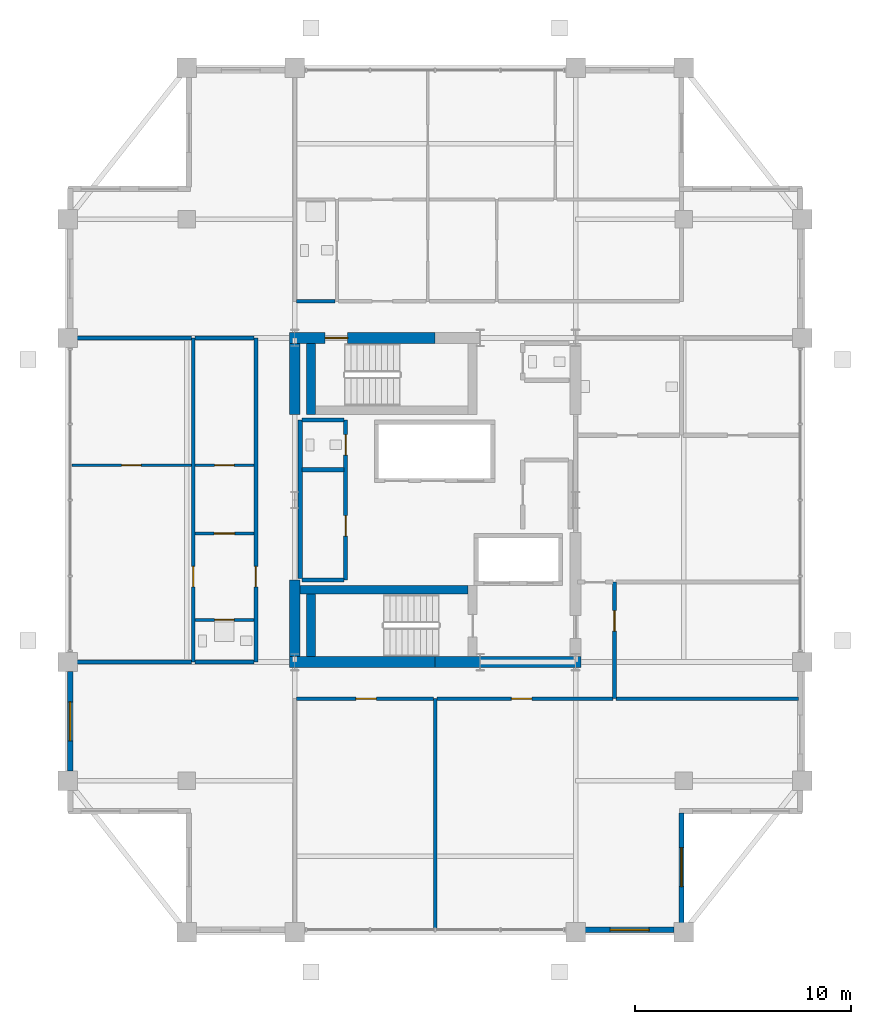
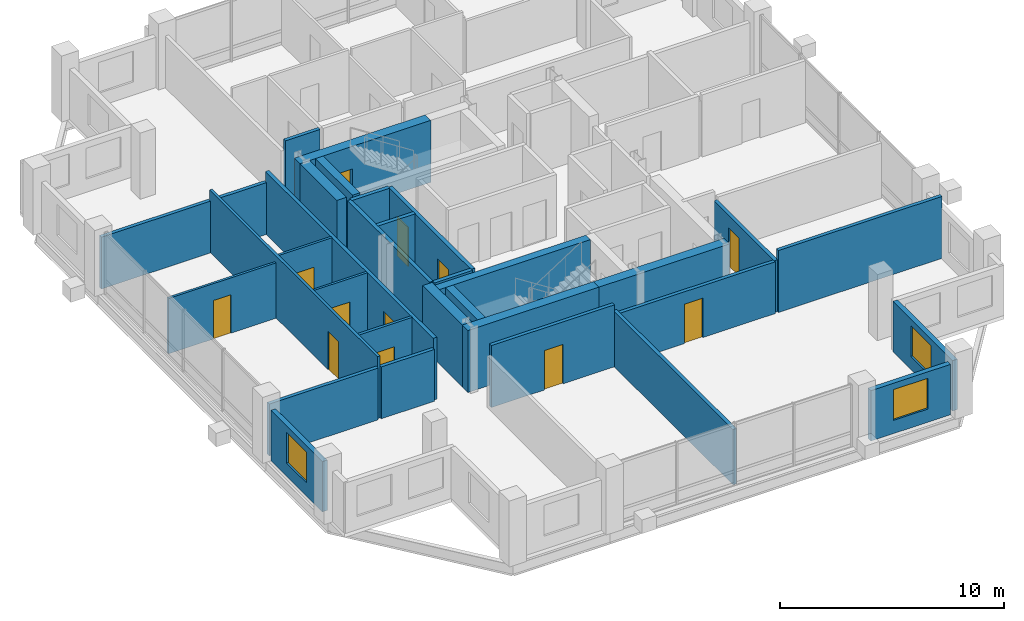
# One storey, part 16 of 21: 32 walls, 12 doors, 3 windows, 15 openings.
"""IFC4 building model written with IfcOpenShell, lengths in metres."""

from ifc_helpers import new_model, si_unit, direction, frame, frame_2d, origin, place, context, subcontext, project, spatial, rectangle, extrude, material, layer, layer_set, type_object, element, fill, save


model = new_model("IFC4")

# Units and contexts
model_context = context("Model", 3, precision=1e-05, world=origin(), true_north=direction((0.0, 1.0)))
body_context = subcontext(model_context, "Body", "Model", "MODEL_VIEW")
ifc_project = project(units=[si_unit("LENGTHUNIT", "METRE"), si_unit("AREAUNIT", "SQUARE_METRE"), si_unit("VOLUMEUNIT", "CUBIC_METRE"), si_unit("PLANEANGLEUNIT", "RADIAN"), si_unit("MASSUNIT", "GRAM", prefix="KILO")], contexts=[model_context])

# Site, building, storey
site_placement = place(None, origin())
site = spatial("IfcSite", under=ifc_project, at=site_placement, CompositionType="ELEMENT")
building_placement = place(site_placement, origin())
building = spatial("IfcBuilding", under=site, at=building_placement, Name="Barlavira Tower and Art Museum", CompositionType="ELEMENT")
storey_placement = place(building_placement, frame((0.0, 0.0, 222.300048828125)))
storey = spatial("IfcBuildingStorey", under=building, at=storey_placement, Name="L57", CompositionType="ELEMENT", Elevation=222.300048828125)

# Wall, opening, door
ifc_material_1 = material(Name="Gypsum acoustic stud partition", Category="gypsum")
ifc_layer_1 = layer(ifc_material_1, 0.1201171875, Name="Gypsum acoustic stud partition")
ifc_layer_set_1 = layer_set([ifc_layer_1], Name="Gypsum acoustic stud partition")
wall_type_1 = type_object("IfcWallType", Name="Apartment Internal Acoustic Partition 120", PredefinedType="PARTITIONING", material=ifc_layer_set_1)
wall_1_placement = place(storey_placement, frame((-11.1201171875, -1.550048828125, 0.0), z_axis=(0.0, 0.0, 1.0), x_axis=(1.0, 0.0, 0.0)))
wall_1 = element("IfcWall", 1, at=wall_1_placement, inside=storey, type_object=wall_type_1, Name="L57 Partition Wall 28", PredefinedType="PARTITIONING", context=body_context, shape_type="SweptSolid", body=[
    extrude(rectangle(XDim=2.740234375, YDim=0.1201171875, at=frame_2d((1.3701171875, 0.0))), origin(), (0.0, 0.0, 1.0), 3.3798828125),
])
opening_1_placement = place(wall_1_placement, frame((0.885009765625, 0.0, 0.0)))
opening_1 = element("IfcOpeningElement", 2, at=opening_1_placement, cuts=wall_1, Name="Opening D-02", PredefinedType="OPENING", context=body_context, shape_type="SweptSolid", body=[
    extrude(rectangle(XDim=0.949951171875, YDim=2.10009765625, at=frame_2d((0.47509765625, 1.050048828125))), frame((0.0, 0.070068359375, 0.0), z_axis=(0.0, -1.0, 0.0), x_axis=(1.0, 0.0, 0.0)), (0.0, 0.0, 1.0), 0.14013671875),
])
ifc_material_2 = material(Name="Engineered coastal hardwood", Category="wood")
door_type_1 = type_object("IfcDoorType", Name="Living and Salon Glazed-Leaf Door 950x2100", OperationType="NOTDEFINED", PredefinedType="DOOR", material=ifc_material_2)
door_1_placement = place(opening_1_placement, origin())
door_1 = element("IfcDoor", 3, at=door_1_placement, inside=storey, type_object=door_type_1, Name="Apartment SKY-W1 Kitchen Door", OperationType="SINGLE_SWING_LEFT", OverallHeight=2.10009765625, OverallWidth=0.949951171875, PredefinedType="DOOR", context=body_context, shape_type="SweptSolid", body=[
    extrude(rectangle(XDim=0.949951171875, YDim=2.10009765625, at=frame_2d((0.47509765625, 1.050048828125))), frame((0.0, 0.02490234375, 0.0), z_axis=(0.0, -1.0, 0.0), x_axis=(1.0, 0.0, 0.0)), (0.0, 0.0, 1.0), 0.050048828125),
])
fill(opening_1, door_1)

wall_2_placement = place(storey_placement, frame((-16.820068359375, 1.60009765625, 0.0), z_axis=(0.0, 0.0, 1.0), x_axis=(1.0, 0.0, 0.0)))
wall_2 = element("IfcWall", 4, at=wall_2_placement, inside=storey, type_object=wall_type_1, Name="L57 Partition Wall 30", PredefinedType="PARTITIONING", context=body_context, shape_type="SweptSolid", body=[
    extrude(rectangle(XDim=5.5400390625, YDim=0.1201171875, at=frame_2d((2.77001953125, 0.0))), origin(), (0.0, 0.0, 1.0), 3.01806640625),
])
opening_2_placement = place(wall_2_placement, frame((2.31005859375, 0.0, 0.0)))
opening_2 = element("IfcOpeningElement", 5, at=opening_2_placement, cuts=wall_2, Name="Opening D-01", PredefinedType="OPENING", context=body_context, shape_type="SweptSolid", body=[
    extrude(rectangle(XDim=0.89990234375, YDim=2.10009765625, at=frame_2d((0.449951171875, 1.050048828125))), frame((0.0, 0.070068359375, 0.0), z_axis=(0.0, -1.0, 0.0), x_axis=(1.0, 0.0, 0.0)), (0.0, 0.0, 1.0), 0.14013671875),
])
door_type_2 = type_object("IfcDoorType", Name="Internal Bedroom Timber Flush Door 900x2100", OperationType="NOTDEFINED", PredefinedType="DOOR", material=ifc_material_2)
door_2_placement = place(opening_2_placement, origin())
door_2 = element("IfcDoor", 6, at=door_2_placement, inside=storey, type_object=door_type_2, Name="Apartment SKY-W1 Bedroom 1 Door", OperationType="SINGLE_SWING_RIGHT", OverallHeight=2.10009765625, OverallWidth=0.89990234375, PredefinedType="DOOR", context=body_context, shape_type="SweptSolid", body=[
    extrude(rectangle(XDim=0.89990234375, YDim=2.10009765625, at=frame_2d((0.449951171875, 1.050048828125))), frame((0.0, 0.02490234375, 0.0), z_axis=(0.0, -1.0, 0.0), x_axis=(1.0, 0.0, 0.0)), (0.0, 0.0, 1.0), 0.050048828125),
])
fill(opening_2, door_2)

wall_3_placement = place(storey_placement, frame((-11.1201171875, 1.60009765625, 0.0), z_axis=(0.0, 0.0, 1.0), x_axis=(1.0, 0.0, 0.0)))
wall_3 = element("IfcWall", 7, at=wall_3_placement, inside=storey, type_object=wall_type_1, Name="L57 Partition Wall 31", PredefinedType="PARTITIONING", context=body_context, shape_type="SweptSolid", body=[
    extrude(rectangle(XDim=2.740234375, YDim=0.1201171875, at=frame_2d((1.3701171875, 0.0))), origin(), (0.0, 0.0, 1.0), 3.3798828125),
])
opening_3_placement = place(wall_3_placement, frame((0.909912109375, 0.0, 0.0)))
opening_3 = element("IfcOpeningElement", 8, at=opening_3_placement, cuts=wall_3, Name="Opening D-01", PredefinedType="OPENING", context=body_context, shape_type="SweptSolid", body=[
    extrude(rectangle(XDim=0.89990234375, YDim=2.10009765625, at=frame_2d((0.449951171875, 1.050048828125))), frame((0.0, 0.070068359375, 0.0), z_axis=(0.0, -1.0, 0.0), x_axis=(1.0, 0.0, 0.0)), (0.0, 0.0, 1.0), 0.14013671875),
])
door_3_placement = place(opening_3_placement, origin())
door_3 = element("IfcDoor", 9, at=door_3_placement, inside=storey, type_object=door_type_2, Name="Apartment SKY-W1 Walk-In Dressing Room Door", OperationType="SINGLE_SWING_RIGHT", OverallHeight=2.10009765625, OverallWidth=0.89990234375, PredefinedType="DOOR", context=body_context, shape_type="SweptSolid", body=[
    extrude(rectangle(XDim=0.89990234375, YDim=2.10009765625, at=frame_2d((0.449951171875, 1.050048828125))), frame((0.0, 0.02490234375, 0.0), z_axis=(0.0, -1.0, 0.0), x_axis=(1.0, 0.0, 0.0)), (0.0, 0.0, 1.0), 0.050048828125),
])
fill(opening_3, door_3)

# Walls
ifc_material_3 = material(Name="Concrete C60", Category="concrete")
ifc_layer_2 = layer(ifc_material_3, 0.5, Name="Concrete C60")
ifc_layer_set_2 = layer_set([ifc_layer_2], Name="Concrete C60")
wall_type_2 = type_object("IfcWallType", Name="Core Structural Shear Wall 500 Concrete C60", PredefinedType="SHEAR", material=ifc_layer_set_2)
for number, where, z_axis, x_axis, name in (
    (10, (-6.75, -7.5, 0.0), (0.0, 0.0, 1.0), (1.0, 0.0, 0.0), "L57 Core Shear Wall CS-SW"),
    (11, (0.0, -7.5, 0.0), (0.0, 0.0, 1.0), (1.0, 0.0, 0.0), "L57 Core Shear Wall CS-SE"),
):
    element("IfcWall", number, at=place(storey_placement, frame(where, z_axis=z_axis, x_axis=x_axis)), inside=storey, type_object=wall_type_2, Name=name, PredefinedType="SHEAR", context=body_context, shape_type="SweptSolid", body=[
        extrude(rectangle(XDim=6.75, YDim=0.5, at=frame_2d((3.375, 0.0))), origin(), (0.0, 0.0, 1.0), 3.3798828125),
    ])

# Wall, opening, door
wall_4_placement = place(storey_placement, frame((-6.75, 7.5, 0.0), z_axis=(0.0, 0.0, 1.0), x_axis=(1.0, 0.0, 0.0)))
wall_4 = element("IfcWall", 12, at=wall_4_placement, inside=storey, type_object=wall_type_2, Name="L57 Core Shear Wall CS-NW", PredefinedType="SHEAR", context=body_context, shape_type="SweptSolid", body=[
    extrude(rectangle(XDim=6.75, YDim=0.5, at=frame_2d((3.375, 0.0))), origin(), (0.0, 0.0, 1.0), 3.3798828125),
])
opening_4_placement = place(wall_4_placement, frame((1.64990234375, 0.0, 0.0)))
opening_4 = element("IfcOpeningElement", 13, at=opening_4_placement, cuts=wall_4, Name="Opening FD-90", PredefinedType="OPENING", context=body_context, shape_type="SweptSolid", body=[
    extrude(rectangle(XDim=1.050048828125, YDim=2.14990234375, at=frame_2d((0.52490234375, 1.074951171875))), frame((0.0, 0.260009765625, 0.0), z_axis=(0.0, -1.0, 0.0), x_axis=(1.0, 0.0, 0.0)), (0.0, 0.0, 1.0), 0.52001953125),
])
ifc_material_4 = material(Name="Brushed stainless steel", Category="steel")
door_type_3 = type_object("IfcDoorType", Name="Stair and Refuge Fire Door 1050x2150 FD90S", OperationType="NOTDEFINED", PredefinedType="DOOR", material=ifc_material_4)
door_4_placement = place(opening_4_placement, origin())
door_4 = element("IfcDoor", 14, at=door_4_placement, inside=storey, type_object=door_type_3, Name="L57 Stair ST-T2 Fire Door", OperationType="SINGLE_SWING_LEFT", OverallHeight=2.14990234375, OverallWidth=1.050048828125, PredefinedType="DOOR", context=body_context, shape_type="SweptSolid", body=[
    extrude(rectangle(XDim=1.050048828125, YDim=2.14990234375, at=frame_2d((0.52490234375, 1.074951171875))), frame((0.0, 0.02490234375, 0.0), z_axis=(0.0, -1.0, 0.0), x_axis=(1.0, 0.0, 0.0)), (0.0, 0.0, 1.0), 0.050048828125),
])
fill(opening_4, door_4)

# Walls
wall_5_placement = place(storey_placement, frame((-6.5, -7.25, 0.0), z_axis=(0.0, 0.0, 1.0), x_axis=(0.0, 1.0, 0.0)))
element("IfcWall", 15, at=wall_5_placement, inside=storey, type_object=wall_type_2, Name="L57 Core Shear Wall CS-W1", PredefinedType="SHEAR", context=body_context, shape_type="SweptSolid", body=[
    extrude(rectangle(XDim=3.550048828125, YDim=0.5, at=frame_2d((1.77490234375, 0.0))), origin(), (0.0, 0.0, 1.0), 3.3798828125),
])
wall_6_placement = place(storey_placement, frame((-6.5, 3.949951171875, 0.0), z_axis=(0.0, 0.0, 1.0), x_axis=(0.0, 1.0, 0.0)))
element("IfcWall", 16, at=wall_6_placement, inside=storey, type_object=wall_type_2, Name="L57 Core Shear Wall CS-W2", PredefinedType="SHEAR", context=body_context, shape_type="SweptSolid", body=[
    extrude(rectangle(XDim=3.300048828125, YDim=0.5, at=frame_2d((1.64990234375, 0.0))), origin(), (0.0, 0.0, 1.0), 3.3798828125),
])
ifc_material_5 = material(Name="Autoclaved aerated concrete masonry", Category="masonry")
ifc_layer_3 = layer(ifc_material_5, 0.199951171875, Name="Autoclaved aerated concrete masonry")
ifc_layer_set_3 = layer_set([ifc_layer_3], Name="Autoclaved aerated concrete masonry")
wall_type_3 = type_object("IfcWallType", Name="Fire Compartment and Shaft Wall 200", PredefinedType="SOLIDWALL", material=ifc_layer_set_3)
wall_7_placement = place(storey_placement, frame((-6.25, -3.639892578125, 0.0), z_axis=(0.0, 0.0, 1.0), x_axis=(0.0, 1.0, 0.0)))
element("IfcWall", 17, at=wall_7_placement, inside=storey, type_object=wall_type_3, Name="L57 Partition Wall 5", PredefinedType="SOLIDWALL", context=body_context, shape_type="SweptSolid", body=[
    extrude(rectangle(XDim=7.33984375, YDim=0.199951171875, at=frame_2d((3.669921875, 0.0))), origin(), (0.0, 0.0, 1.0), 3.3798828125),
])

# Wall, openings, doors
wall_8_placement = place(storey_placement, frame((-4.14990234375, -3.699951171875, 0.0), z_axis=(0.0, 0.0, 1.0), x_axis=(0.0, 1.0, 0.0)))
wall_8 = element("IfcWall", 18, at=wall_8_placement, inside=storey, type_object=wall_type_3, Name="L57 Partition Wall 7", PredefinedType="SOLIDWALL", context=body_context, shape_type="SweptSolid", body=[
    extrude(rectangle(XDim=7.39990234375, YDim=0.199951171875, at=frame_2d((3.699951171875, 0.0))), origin(), (0.0, 0.0, 1.0), 3.3798828125),
])
opening_5_placement = place(wall_8_placement, frame((2.02490234375, 0.0, 0.0)))
opening_5 = element("IfcOpeningElement", 19, at=opening_5_placement, cuts=wall_8, Name="Opening FD-60", PredefinedType="OPENING", context=body_context, shape_type="SweptSolid", body=[
    extrude(rectangle(XDim=0.949951171875, YDim=2.14990234375, at=frame_2d((0.47509765625, 1.074951171875))), frame((0.0, 0.10986328125, 0.0), z_axis=(0.0, -1.0, 0.0), x_axis=(1.0, 0.0, 0.0)), (0.0, 0.0, 1.0), 0.219970703125),
])
opening_6_placement = place(wall_8_placement, frame((5.77490234375, 0.0, 0.0)))
opening_6 = element("IfcOpeningElement", 20, at=opening_6_placement, cuts=wall_8, Name="Opening FD-60", PredefinedType="OPENING", context=body_context, shape_type="SweptSolid", body=[
    extrude(rectangle(XDim=0.949951171875, YDim=2.14990234375, at=frame_2d((0.47509765625, 1.074951171875))), frame((0.0, 0.10986328125, 0.0), z_axis=(0.0, -1.0, 0.0), x_axis=(1.0, 0.0, 0.0)), (0.0, 0.0, 1.0), 0.219970703125),
])
door_type_4 = type_object("IfcDoorType", Name="Apartment Entrance and Riser Fire Door 950x2150 FD60S", OperationType="NOTDEFINED", PredefinedType="DOOR", material=ifc_material_4)
door_5_placement = place(opening_5_placement, origin())
door_5 = element("IfcDoor", 21, at=door_5_placement, inside=storey, type_object=door_type_4, Name="Reclaimed Core Resident Parcel Room Door", OperationType="SINGLE_SWING_RIGHT", OverallHeight=2.14990234375, OverallWidth=0.949951171875, PredefinedType="DOOR", context=body_context, shape_type="SweptSolid", body=[
    extrude(rectangle(XDim=0.949951171875, YDim=2.14990234375, at=frame_2d((0.47509765625, 1.074951171875))), frame((0.0, 0.02490234375, 0.0), z_axis=(0.0, -1.0, 0.0), x_axis=(1.0, 0.0, 0.0)), (0.0, 0.0, 1.0), 0.050048828125),
])
fill(opening_5, door_5)
door_6_placement = place(opening_6_placement, origin())
door_6 = element("IfcDoor", 22, at=door_6_placement, inside=storey, type_object=door_type_4, Name="Reclaimed Core Accessible WC Door", OperationType="SINGLE_SWING_LEFT", OverallHeight=2.14990234375, OverallWidth=0.949951171875, PredefinedType="DOOR", context=body_context, shape_type="SweptSolid", body=[
    extrude(rectangle(XDim=0.949951171875, YDim=2.14990234375, at=frame_2d((0.47509765625, 1.074951171875))), frame((0.0, 0.02490234375, 0.0), z_axis=(0.0, -1.0, 0.0), x_axis=(1.0, 0.0, 0.0)), (0.0, 0.0, 1.0), 0.050048828125),
])
fill(opening_6, door_6)

# Walls
for number, where, z_axis, x_axis, name in (
    (23, (-6.169921875, -3.699951171875, 0.0), (0.0, 0.0, 1.0), (1.0, 0.0, 0.0), "L57 Partition Wall 27"),
    (24, (-6.169921875, 1.39990234375, 0.0), (0.0, 0.0, 1.0), (1.0, 0.0, 0.0), "L57 Partition Wall 29"),
    (25, (-6.169921875, 3.699951171875, 0.0), (0.0, 0.0, 1.0), (1.0, 0.0, 0.0), "L57 Partition Wall 35"),
):
    element("IfcWall", number, at=place(storey_placement, frame(where, z_axis=z_axis, x_axis=x_axis)), inside=storey, type_object=wall_type_3, Name=name, PredefinedType="SOLIDWALL", context=body_context, shape_type="SweptSolid", body=[
        extrude(rectangle(XDim=1.93994140625, YDim=0.199951171875, at=frame_2d((0.969970703125, 0.0))), origin(), (0.0, 0.0, 1.0), 3.3798828125),
    ])

# Wall, opening, door
ifc_layer_4 = layer(ifc_material_1, 0.179931640625, Name="Gypsum acoustic stud partition")
ifc_layer_set_4 = layer_set([ifc_layer_4], Name="Gypsum acoustic stud partition")
wall_type_4 = type_object("IfcWallType", Name="Inter-Tenancy Party Partition Wall 180", PredefinedType="PARTITIONING", material=ifc_layer_set_4)
wall_9_placement = place(storey_placement, frame((-8.300048828125, -7.5, 0.0), z_axis=(0.0, 0.0, 1.0), x_axis=(0.0, 1.0, 0.0)))
wall_9 = element("IfcWall", 26, at=wall_9_placement, inside=storey, type_object=wall_type_4, Name="L57 Partition Wall 2", PredefinedType="PARTITIONING", context=body_context, shape_type="SweptSolid", body=[
    extrude(rectangle(XDim=15.0, YDim=0.179931640625, at=frame_2d((7.5, 0.0))), origin(), (0.0, 0.0, 1.0), 3.3798828125),
])
opening_7_placement = place(wall_9_placement, frame((3.47509765625, 0.0, 0.0)))
opening_7 = element("IfcOpeningElement", 27, at=opening_7_placement, cuts=wall_9, Name="Opening FD-60", PredefinedType="OPENING", context=body_context, shape_type="SweptSolid", body=[
    extrude(rectangle(XDim=0.949951171875, YDim=2.14990234375, at=frame_2d((0.47509765625, 1.074951171875))), frame((0.0, 0.10009765625, 0.0), z_axis=(0.0, -1.0, 0.0), x_axis=(1.0, 0.0, 0.0)), (0.0, 0.0, 1.0), 0.199951171875),
])
door_7_placement = place(opening_7_placement, origin())
door_7 = element("IfcDoor", 28, at=door_7_placement, inside=storey, type_object=door_type_4, Name="Apartment Entrance Hall SKY-W1 Door", OperationType="SINGLE_SWING_RIGHT", OverallHeight=2.14990234375, OverallWidth=0.949951171875, PredefinedType="DOOR", context=body_context, shape_type="SweptSolid", body=[
    extrude(rectangle(XDim=0.949951171875, YDim=2.14990234375, at=frame_2d((0.47509765625, 1.074951171875))), frame((0.0, 0.02490234375, 0.0), z_axis=(0.0, -1.0, 0.0), x_axis=(1.0, 0.0, 0.0)), (0.0, 0.0, 1.0), 0.050048828125),
])
fill(opening_7, door_7)

# Wall
wall_10_placement = place(storey_placement, frame((0.0, -19.89990234375, 0.0), z_axis=(0.0, 0.0, 1.0), x_axis=(0.0, 1.0, 0.0)))
element("IfcWall", 29, at=wall_10_placement, inside=storey, type_object=wall_type_4, Name="L57 Partition Wall 9", PredefinedType="PARTITIONING", context=body_context, shape_type="SweptSolid", body=[
    extrude(rectangle(XDim=10.699951171875, YDim=0.179931640625, at=frame_2d((5.35009765625, 0.0))), origin(), (0.0, 0.0, 1.0), 3.01806640625),
])

# Wall, opening, door
wall_11_placement = place(storey_placement, frame((8.300048828125, -9.199951171875, 0.0), z_axis=(0.0, 0.0, 1.0), x_axis=(0.0, 1.0, 0.0)))
wall_11 = element("IfcWall", 30, at=wall_11_placement, inside=storey, type_object=wall_type_4, Name="L57 Partition Wall 16", PredefinedType="PARTITIONING", context=body_context, shape_type="SweptSolid", body=[
    extrude(rectangle(XDim=5.39990234375, YDim=0.179931640625, at=frame_2d((2.699951171875, 0.0))), origin(), (0.0, 0.0, 1.0), 2.825927734375),
])
opening_8_placement = place(wall_11_placement, frame((3.125, 0.0, 0.0)))
opening_8 = element("IfcOpeningElement", 31, at=opening_8_placement, cuts=wall_11, Name="Opening FD-60", PredefinedType="OPENING", context=body_context, shape_type="SweptSolid", body=[
    extrude(rectangle(XDim=0.949951171875, YDim=2.14990234375, at=frame_2d((0.47509765625, 1.074951171875))), frame((0.0, 0.10009765625, 0.0), z_axis=(0.0, -1.0, 0.0), x_axis=(1.0, 0.0, 0.0)), (0.0, 0.0, 1.0), 0.199951171875),
])
door_8_placement = place(opening_8_placement, origin())
door_8 = element("IfcDoor", 32, at=door_8_placement, inside=storey, type_object=door_type_4, Name="Shared Sky Cafe Preparation Kitchen Door", OperationType="SINGLE_SWING_RIGHT", OverallHeight=2.14990234375, OverallWidth=0.949951171875, PredefinedType="DOOR", context=body_context, shape_type="SweptSolid", body=[
    extrude(rectangle(XDim=0.949951171875, YDim=2.14990234375, at=frame_2d((0.47509765625, 1.074951171875))), frame((0.0, 0.02490234375, 0.0), z_axis=(0.0, -1.0, 0.0), x_axis=(1.0, 0.0, 0.0)), (0.0, 0.0, 1.0), 0.050048828125),
])
fill(opening_8, door_8)

wall_12_placement = place(storey_placement, frame((-6.419921875, -9.199951171875, 0.0), z_axis=(0.0, 0.0, 1.0), x_axis=(1.0, 0.0, 0.0)))
wall_12 = element("IfcWall", 33, at=wall_12_placement, inside=storey, type_object=wall_type_4, Name="L57 Partition Wall 19", PredefinedType="PARTITIONING", context=body_context, shape_type="SweptSolid", body=[
    extrude(rectangle(XDim=6.33984375, YDim=0.179931640625, at=frame_2d((3.169921875, 0.0))), origin(), (0.0, 0.0, 1.0), 3.3798828125),
])
opening_9_placement = place(wall_12_placement, frame((2.7451171875, 0.0, 0.0)))
opening_9 = element("IfcOpeningElement", 34, at=opening_9_placement, cuts=wall_12, Name="Opening FD-60", PredefinedType="OPENING", context=body_context, shape_type="SweptSolid", body=[
    extrude(rectangle(XDim=0.949951171875, YDim=2.14990234375, at=frame_2d((0.47509765625, 1.074951171875))), frame((0.0, 0.10009765625, 0.0), z_axis=(0.0, -1.0, 0.0), x_axis=(1.0, 0.0, 0.0)), (0.0, 0.0, 1.0), 0.199951171875),
])
door_9_placement = place(opening_9_placement, origin())
door_9 = element("IfcDoor", 35, at=door_9_placement, inside=storey, type_object=door_type_4, Name="Sky Transfer Concierge Lounge Door", OperationType="SINGLE_SWING_RIGHT", OverallHeight=2.14990234375, OverallWidth=0.949951171875, PredefinedType="DOOR", context=body_context, shape_type="SweptSolid", body=[
    extrude(rectangle(XDim=0.949951171875, YDim=2.14990234375, at=frame_2d((0.47509765625, 1.074951171875))), frame((0.0, 0.02490234375, 0.0), z_axis=(0.0, -1.0, 0.0), x_axis=(1.0, 0.0, 0.0)), (0.0, 0.0, 1.0), 0.050048828125),
])
fill(opening_9, door_9)

wall_13_placement = place(storey_placement, frame((0.080078125, -9.199951171875, 0.0), z_axis=(0.0, 0.0, 1.0), x_axis=(1.0, 0.0, 0.0)))
wall_13 = element("IfcWall", 36, at=wall_13_placement, inside=storey, type_object=wall_type_4, Name="L57 Partition Wall 20", PredefinedType="PARTITIONING", context=body_context, shape_type="SweptSolid", body=[
    extrude(rectangle(XDim=8.139892578125, YDim=0.179931640625, at=frame_2d((4.06982421875, 0.0))), origin(), (0.0, 0.0, 1.0), 2.825927734375),
])
opening_10_placement = place(wall_13_placement, frame((3.445068359375, 0.0, 0.0)))
opening_10 = element("IfcOpeningElement", 37, at=opening_10_placement, cuts=wall_13, Name="Opening FD-60", PredefinedType="OPENING", context=body_context, shape_type="SweptSolid", body=[
    extrude(rectangle(XDim=0.949951171875, YDim=2.14990234375, at=frame_2d((0.47509765625, 1.074951171875))), frame((0.0, 0.10009765625, 0.0), z_axis=(0.0, -1.0, 0.0), x_axis=(1.0, 0.0, 0.0)), (0.0, 0.0, 1.0), 0.199951171875),
])
door_10_placement = place(opening_10_placement, origin())
door_10 = element("IfcDoor", 38, at=door_10_placement, inside=storey, type_object=door_type_4, Name="Atlantic Horizon Sky Cafe and Bar Door", OperationType="SINGLE_SWING_LEFT", OverallHeight=2.14990234375, OverallWidth=0.949951171875, PredefinedType="DOOR", context=body_context, shape_type="SweptSolid", body=[
    extrude(rectangle(XDim=0.949951171875, YDim=2.14990234375, at=frame_2d((0.47509765625, 1.074951171875))), frame((0.0, 0.02490234375, 0.0), z_axis=(0.0, -1.0, 0.0), x_axis=(1.0, 0.0, 0.0)), (0.0, 0.0, 1.0), 0.050048828125),
])
fill(opening_10, door_10)

# Walls
wall_14_placement = place(storey_placement, frame((8.3798828125, -9.199951171875, 0.0), z_axis=(0.0, 0.0, 1.0), x_axis=(1.0, 0.0, 0.0)))
element("IfcWall", 39, at=wall_14_placement, inside=storey, type_object=wall_type_4, Name="L57 Partition Wall 21", PredefinedType="PARTITIONING", context=body_context, shape_type="SweptSolid", body=[
    extrude(rectangle(XDim=8.440185546875, YDim=0.179931640625, at=frame_2d((4.22021484375, 0.0))), origin(), (0.0, 0.0, 1.0), 3.3798828125),
])
wall_15_placement = place(storey_placement, frame((-16.89990234375, -7.5, 0.0), z_axis=(0.0, 0.0, 1.0), x_axis=(1.0, 0.0, 0.0)))
element("IfcWall", 40, at=wall_15_placement, inside=storey, type_object=wall_type_4, Name="L57 Partition Wall 22", PredefinedType="PARTITIONING", context=body_context, shape_type="SweptSolid", body=[
    extrude(rectangle(XDim=5.619873046875, YDim=0.179931640625, at=frame_2d((2.81005859375, 0.0))), origin(), (0.0, 0.0, 1.0), 2.825927734375),
])
wall_16_placement = place(storey_placement, frame((-11.1201171875, -7.5, 0.0), z_axis=(0.0, 0.0, 1.0), x_axis=(1.0, 0.0, 0.0)))
element("IfcWall", 41, at=wall_16_placement, inside=storey, type_object=wall_type_4, Name="L57 Partition Wall 23", PredefinedType="PARTITIONING", context=body_context, shape_type="SweptSolid", body=[
    extrude(rectangle(XDim=2.740234375, YDim=0.179931640625, at=frame_2d((1.3701171875, 0.0))), origin(), (0.0, 0.0, 1.0), 2.825927734375),
])
wall_17_placement = place(storey_placement, frame((-16.89990234375, 7.5, 0.0), z_axis=(0.0, 0.0, 1.0), x_axis=(1.0, 0.0, 0.0)))
element("IfcWall", 42, at=wall_17_placement, inside=storey, type_object=wall_type_4, Name="L57 Partition Wall 38", PredefinedType="PARTITIONING", context=body_context, shape_type="SweptSolid", body=[
    extrude(rectangle(XDim=5.619873046875, YDim=0.179931640625, at=frame_2d((2.81005859375, 0.0))), origin(), (0.0, 0.0, 1.0), 2.825927734375),
])
wall_18_placement = place(storey_placement, frame((-11.1201171875, 7.5, 0.0), z_axis=(0.0, 0.0, 1.0), x_axis=(1.0, 0.0, 0.0)))
element("IfcWall", 43, at=wall_18_placement, inside=storey, type_object=wall_type_4, Name="L57 Partition Wall 39", PredefinedType="PARTITIONING", context=body_context, shape_type="SweptSolid", body=[
    extrude(rectangle(XDim=2.740234375, YDim=0.179931640625, at=frame_2d((1.3701171875, 0.0))), origin(), (0.0, 0.0, 1.0), 2.825927734375),
])
wall_19_placement = place(storey_placement, frame((-6.419921875, 9.199951171875, 0.0), z_axis=(0.0, 0.0, 1.0), x_axis=(1.0, 0.0, 0.0)))
element("IfcWall", 44, at=wall_19_placement, inside=storey, type_object=wall_type_4, Name="L57 Partition Wall 42", PredefinedType="PARTITIONING", context=body_context, shape_type="SweptSolid", body=[
    extrude(rectangle(XDim=1.7900390625, YDim=0.179931640625, at=frame_2d((0.89501953125, 0.0))), origin(), (0.0, 0.0, 1.0), 3.3798828125),
])

# Wall, opening, door
ifc_layer_5 = layer(ifc_material_1, 0.139892578125, Name="Gypsum acoustic stud partition")
ifc_layer_set_5 = layer_set([ifc_layer_5], Name="Gypsum acoustic stud partition")
wall_type_5 = type_object("IfcWallType", Name="Moisture-Resistant Bathroom Partition 140", PredefinedType="PARTITIONING", material=ifc_layer_set_5)
wall_20_placement = place(storey_placement, frame((-11.199951171875, -7.5, 0.0), z_axis=(0.0, 0.0, 1.0), x_axis=(0.0, 1.0, 0.0)))
wall_20 = element("IfcWall", 45, at=wall_20_placement, inside=storey, type_object=wall_type_5, Name="L57 Partition Wall 1", PredefinedType="PARTITIONING", context=body_context, shape_type="SweptSolid", body=[
    extrude(rectangle(XDim=15.0, YDim=0.139892578125, at=frame_2d((7.5, 0.0))), origin(), (0.0, 0.0, 1.0), 3.3798828125),
])
opening_11_placement = place(wall_20_placement, frame((3.47509765625, 0.0, 0.0)))
opening_11 = element("IfcOpeningElement", 46, at=opening_11_placement, cuts=wall_20, Name="Opening D-02", PredefinedType="OPENING", context=body_context, shape_type="SweptSolid", body=[
    extrude(rectangle(XDim=0.949951171875, YDim=2.10009765625, at=frame_2d((0.47509765625, 1.050048828125))), frame((0.0, 0.080078125, 0.0), z_axis=(0.0, -1.0, 0.0), x_axis=(1.0, 0.0, 0.0)), (0.0, 0.0, 1.0), 0.159912109375),
])
door_11_placement = place(opening_11_placement, origin())
door_11 = element("IfcDoor", 47, at=door_11_placement, inside=storey, type_object=door_type_1, Name="Apartment SKY-W1 Living Lounge Door", OperationType="SINGLE_SWING_LEFT", OverallHeight=2.10009765625, OverallWidth=0.949951171875, PredefinedType="DOOR", context=body_context, shape_type="SweptSolid", body=[
    extrude(rectangle(XDim=0.949951171875, YDim=2.10009765625, at=frame_2d((0.47509765625, 1.050048828125))), frame((0.0, 0.02490234375, 0.0), z_axis=(0.0, -1.0, 0.0), x_axis=(1.0, 0.0, 0.0)), (0.0, 0.0, 1.0), 0.050048828125),
])
fill(opening_11, door_11)

wall_21_placement = place(storey_placement, frame((-11.1201171875, -5.550048828125, 0.0), z_axis=(0.0, 0.0, 1.0), x_axis=(1.0, 0.0, 0.0)))
wall_21 = element("IfcWall", 48, at=wall_21_placement, inside=storey, type_object=wall_type_5, Name="L57 Partition Wall 24", PredefinedType="PARTITIONING", context=body_context, shape_type="SweptSolid", body=[
    extrude(rectangle(XDim=2.740234375, YDim=0.139892578125, at=frame_2d((1.3701171875, 0.0))), origin(), (0.0, 0.0, 1.0), 3.3798828125),
])
opening_12_placement = place(wall_21_placement, frame((0.909912109375, 0.0, 0.0)))
opening_12 = element("IfcOpeningElement", 49, at=opening_12_placement, cuts=wall_21, Name="Opening D-WC", PredefinedType="OPENING", context=body_context, shape_type="SweptSolid", body=[
    extrude(rectangle(XDim=0.89990234375, YDim=2.10009765625, at=frame_2d((0.449951171875, 1.050048828125))), frame((0.0, 0.080078125, 0.0), z_axis=(0.0, -1.0, 0.0), x_axis=(1.0, 0.0, 0.0)), (0.0, 0.0, 1.0), 0.159912109375),
])
door_type_5 = type_object("IfcDoorType", Name="Accessible Bathroom Flush Door 900x2100", OperationType="NOTDEFINED", PredefinedType="DOOR", material=ifc_material_2)
door_12_placement = place(opening_12_placement, origin())
door_12 = element("IfcDoor", 50, at=door_12_placement, inside=storey, type_object=door_type_5, Name="Apartment SKY-W1 Hall Bathroom Door", OperationType="SINGLE_SWING_LEFT", OverallHeight=2.10009765625, OverallWidth=0.89990234375, PredefinedType="DOOR", context=body_context, shape_type="SweptSolid", body=[
    extrude(rectangle(XDim=0.89990234375, YDim=2.10009765625, at=frame_2d((0.449951171875, 1.050048828125))), frame((0.0, 0.02490234375, 0.0), z_axis=(0.0, -1.0, 0.0), x_axis=(1.0, 0.0, 0.0)), (0.0, 0.0, 1.0), 0.050048828125),
])
fill(opening_12, door_12)

# Wall, opening, window
ifc_material_6 = material(Name="Precast concrete C40", Category="concrete")
ifc_layer_6 = layer(ifc_material_6, 0.25, Name="Precast concrete C40")
ifc_layer_set_6 = layer_set([ifc_layer_6], Name="Precast concrete C40")
wall_type_6 = type_object("IfcWallType", Name="Notched Corner Spandrel Wall 250 Precast Concrete C40", PredefinedType="SOLIDWALL", material=ifc_layer_set_6)
wall_22_placement = place(storey_placement, frame((6.945068359375, -19.89990234375, 0.0), z_axis=(0.0, 0.0, 1.0), x_axis=(1.0, 0.0, 0.0)))
wall_22 = element("IfcWall", 51, at=wall_22_placement, inside=storey, type_object=wall_type_6, Name="L57 Coastal Facade Pier Wall CW4-L57-S-3", PredefinedType="SOLIDWALL", context=body_context, shape_type="SweptSolid", body=[
    extrude(rectangle(XDim=4.10986328125, YDim=0.25, at=frame_2d((2.054931640625, 0.0))), origin(), (0.0, 0.0, 1.0), 2.748046875),
])
opening_13_placement = place(wall_22_placement, frame((1.155029296875, 0.0, 0.719970703125)))
opening_13 = element("IfcOpeningElement", 52, at=opening_13_placement, cuts=wall_22, Name="Opening WN-01", PredefinedType="OPENING", context=body_context, shape_type="SweptSolid", body=[
    extrude(rectangle(XDim=1.800048828125, YDim=1.679931640625, at=frame_2d((0.89990234375, 0.83984375))), frame((0.0, 0.135009765625, 0.0), z_axis=(0.0, -1.0, 0.0), x_axis=(1.0, 0.0, 0.0)), (0.0, 0.0, 1.0), 0.27001953125),
])
ifc_material_7 = material(Name="Low-iron coastal laminated glass", Category="glass")
window_type = type_object("IfcWindowType", Name="Recessed Notch Corner Punch Window 1800x1680", PartitioningType="SINGLE_PANEL", PredefinedType="WINDOW", material=ifc_material_7)
window_1_placement = place(opening_13_placement, origin())
window_1 = element("IfcWindow", 53, at=window_1_placement, inside=storey, type_object=window_type, Name="L57 Punched Facade Window EWP-CW4-L57-S-3-1", OverallHeight=1.679931640625, OverallWidth=1.800048828125, PartitioningType="SINGLE_PANEL", PredefinedType="WINDOW", context=body_context, shape_type="SweptSolid", body=[
    extrude(rectangle(XDim=1.800048828125, YDim=1.679931640625, at=frame_2d((0.89990234375, 0.83984375))), frame((0.0, 0.030029296875, 0.0), z_axis=(0.0, -1.0, 0.0), x_axis=(1.0, 0.0, 0.0)), (0.0, 0.0, 1.0), 0.06005859375),
])
fill(opening_13, window_1)

wall_23_placement = place(storey_placement, frame((-16.89990234375, -7.945068359375, 0.0), z_axis=(0.0, 0.0, 1.0), x_axis=(0.0, -1.0, 0.0)))
wall_23 = element("IfcWall", 54, at=wall_23_placement, inside=storey, type_object=wall_type_6, Name="L57 Coastal Facade Pier Wall CW4-L57-W-4", PredefinedType="SOLIDWALL", context=body_context, shape_type="SweptSolid", body=[
    extrude(rectangle(XDim=4.60986328125, YDim=0.25, at=frame_2d((2.304931640625, 0.0))), origin(), (0.0, 0.0, 1.0), 2.748046875),
])
opening_14_placement = place(wall_23_placement, frame((1.405029296875, 0.0, 0.719970703125)))
opening_14 = element("IfcOpeningElement", 55, at=opening_14_placement, cuts=wall_23, Name="Opening WN-01", PredefinedType="OPENING", context=body_context, shape_type="SweptSolid", body=[
    extrude(rectangle(XDim=1.800048828125, YDim=1.679931640625, at=frame_2d((0.89990234375, 0.83984375))), frame((0.0, 0.135009765625, 0.0), z_axis=(0.0, -1.0, 0.0), x_axis=(1.0, 0.0, 0.0)), (0.0, 0.0, 1.0), 0.27001953125),
])
window_2_placement = place(opening_14_placement, origin())
window_2 = element("IfcWindow", 56, at=window_2_placement, inside=storey, type_object=window_type, Name="L57 Punched Facade Window EWP-CW4-L57-W-4-1", OverallHeight=1.679931640625, OverallWidth=1.800048828125, PartitioningType="SINGLE_PANEL", PredefinedType="WINDOW", context=body_context, shape_type="SweptSolid", body=[
    extrude(rectangle(XDim=1.800048828125, YDim=1.679931640625, at=frame_2d((0.89990234375, 0.83984375))), frame((0.0, 0.030029296875, 0.0), z_axis=(0.0, -1.0, 0.0), x_axis=(1.0, 0.0, 0.0)), (0.0, 0.0, 1.0), 0.06005859375),
])
fill(opening_14, window_2)

wall_24_placement = place(storey_placement, frame((11.39990234375, -19.820068359375, 0.0), z_axis=(0.0, 0.0, 1.0), x_axis=(0.0, 1.0, 0.0)))
wall_24 = element("IfcWall", 57, at=wall_24_placement, inside=storey, type_object=wall_type_6, Name="L57 Notch Corner Wall SE1", PredefinedType="SOLIDWALL", context=body_context, shape_type="SweptSolid", body=[
    extrude(rectangle(XDim=5.340087890625, YDim=0.25, at=frame_2d((2.669921875, 0.0))), origin(), (0.0, 0.0, 1.0), 2.748046875),
])
opening_15_placement = place(wall_24_placement, frame((1.925048828125, 0.0, 0.719970703125)))
opening_15 = element("IfcOpeningElement", 58, at=opening_15_placement, cuts=wall_24, Name="Opening WN-01", PredefinedType="OPENING", context=body_context, shape_type="SweptSolid", body=[
    extrude(rectangle(XDim=1.800048828125, YDim=1.679931640625, at=frame_2d((0.89990234375, 0.83984375))), frame((0.0, 0.135009765625, 0.0), z_axis=(0.0, -1.0, 0.0), x_axis=(1.0, 0.0, 0.0)), (0.0, 0.0, 1.0), 0.27001953125),
])
window_3_placement = place(opening_15_placement, origin())
window_3 = element("IfcWindow", 59, at=window_3_placement, inside=storey, type_object=window_type, Name="L57 Punched Facade Window EW-NTC-L57-SE1-1", OverallHeight=1.679931640625, OverallWidth=1.800048828125, PartitioningType="SINGLE_PANEL", PredefinedType="WINDOW", context=body_context, shape_type="SweptSolid", body=[
    extrude(rectangle(XDim=1.800048828125, YDim=1.679931640625, at=frame_2d((0.89990234375, 0.83984375))), frame((0.0, 0.030029296875, 0.0), z_axis=(0.0, -1.0, 0.0), x_axis=(1.0, 0.0, 0.0)), (0.0, 0.0, 1.0), 0.06005859375),
])
fill(opening_15, window_3)

# Walls
ifc_material_8 = material(Name="Concrete C55", Category="concrete")
ifc_layer_7 = layer(ifc_material_8, 0.39990234375, Name="Concrete C55")
ifc_layer_set_7 = layer_set([ifc_layer_7], Name="Concrete C55")
wall_type_7 = type_object("IfcWallType", Name="Upper Core Shear Wall 400 Concrete C55", PredefinedType="SHEAR", material=ifc_layer_set_7)
wall_25_placement = place(storey_placement, frame((-5.75, -7.25, 0.0), z_axis=(0.0, 0.0, 1.0), x_axis=(0.0, 1.0, 0.0)))
element("IfcWall", 60, at=wall_25_placement, inside=storey, type_object=wall_type_7, Name="L57 ST-T1 West Half-Landing Wall", PredefinedType="SHEAR", context=body_context, shape_type="SweptSolid", body=[
    extrude(rectangle(XDim=2.89990234375, YDim=0.39990234375, at=frame_2d((1.449951171875, 0.0))), origin(), (0.0, 0.0, 1.0), 3.3798828125),
])
wall_26_placement = place(storey_placement, frame((-6.25, -4.14990234375, 0.0), z_axis=(0.0, 0.0, 1.0), x_axis=(1.0, 0.0, 0.0)))
element("IfcWall", 61, at=wall_26_placement, inside=storey, type_object=wall_type_7, Name="L57 ST-T1 North Shaft Wall", PredefinedType="SHEAR", context=body_context, shape_type="SweptSolid", body=[
    extrude(rectangle(XDim=7.780029296875, YDim=0.39990234375, at=frame_2d((3.89013671875, 0.0))), origin(), (0.0, 0.0, 1.0), 3.3798828125),
])
wall_27_placement = place(storey_placement, frame((-5.75, 3.949951171875, 0.0), z_axis=(0.0, 0.0, 1.0), x_axis=(0.0, 1.0, 0.0)))
element("IfcWall", 62, at=wall_27_placement, inside=storey, type_object=wall_type_7, Name="L57 ST-T2 West Shaft Wall", PredefinedType="SHEAR", context=body_context, shape_type="SweptSolid", body=[
    extrude(rectangle(XDim=3.300048828125, YDim=0.39990234375, at=frame_2d((1.64990234375, 0.0))), origin(), (0.0, 0.0, 1.0), 3.3798828125),
])

save(model, "model.ifc")
